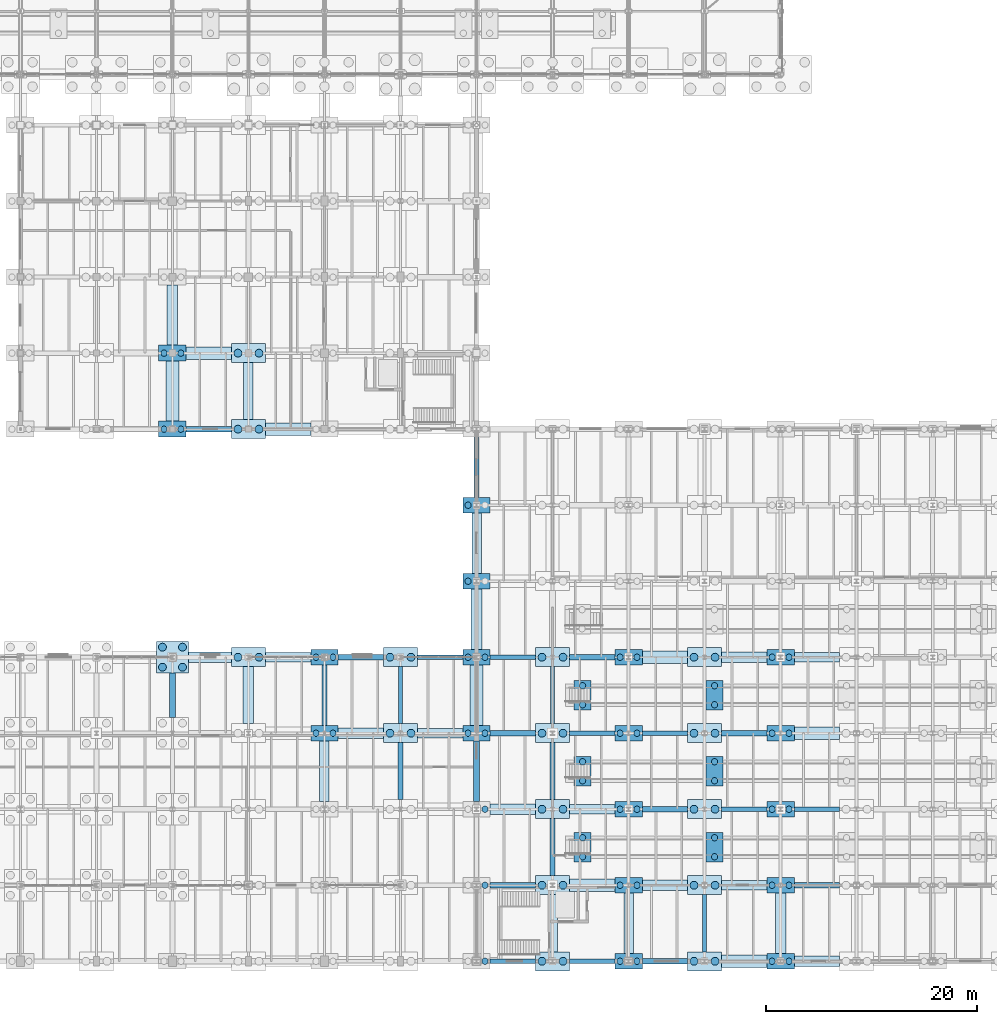
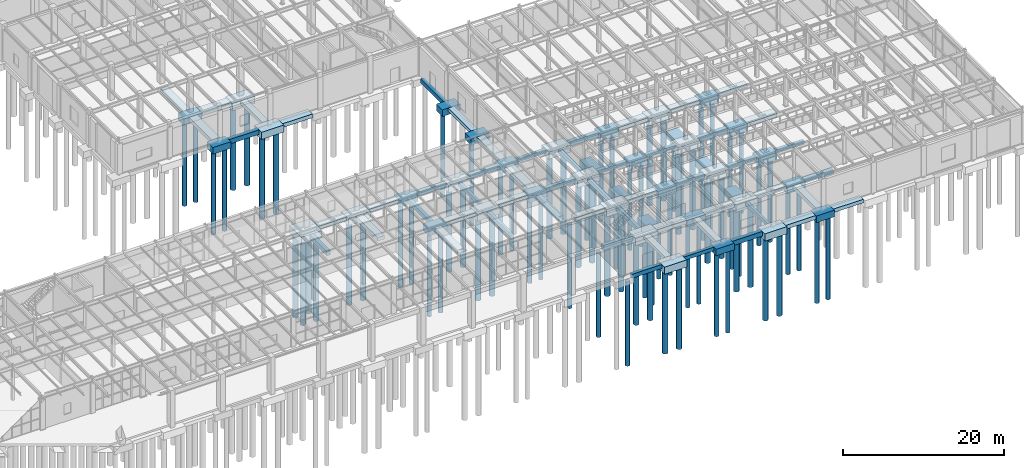
# One storey, part 10 of 293: 95 footings, 83 piles.
"""IFC4 building model written with IfcOpenShell, lengths in metres."""

from ifc_helpers import new_model, si_unit, direction, frame, origin, origin_2d, place, context, subcontext, project, spatial, rectangle, circle, extrude, material, material_profile, profile_set, type_object, element, save


model = new_model("IFC4")

# Units and contexts
model_context = context("Model", 3, precision=1e-05, world=origin(), true_north=direction((0.0, 1.0)))
body_context = subcontext(model_context, "Body", "Model", "MODEL_VIEW")
ifc_project = project(units=[si_unit("LENGTHUNIT", "METRE"), si_unit("AREAUNIT", "SQUARE_METRE"), si_unit("VOLUMEUNIT", "CUBIC_METRE"), si_unit("PLANEANGLEUNIT", "RADIAN"), si_unit("MASSUNIT", "GRAM", prefix="KILO")], contexts=[model_context])

# Site, building, storey
site_placement = place(None, origin())
site = spatial("IfcSite", under=ifc_project, at=site_placement, CompositionType="ELEMENT")
building_placement = place(site_placement, origin())
building = spatial("IfcBuilding", under=site, at=building_placement, Name="Kemerveld Promenade Tramway Depot", CompositionType="ELEMENT")
storey_placement = place(building_placement, origin())
storey = spatial("IfcBuildingStorey", under=building, at=storey_placement, Name="L00", CompositionType="ELEMENT", Elevation=0.0)

# Footings
ifc_material = material(Name="Concrete C35/45", Category="concrete")
footing_type_1 = type_object("IfcFootingType", Name="FT-GB01", PredefinedType="FOOTING_BEAM", material=ifc_material)
for number, where, z_axis, x_axis, name in (
    (1, (190.64990234375, 7.199951171875, -0.949951171875), (0.0, 0.0, 1.0), (1.0, 0.0, 0.0), "GBX-27-28-B"),
    (2, (176.25, 14.39990234375, -0.949951171875), (0.0, 0.0, 1.0), (1.0, 0.0, 0.0), "GBX-25-26-C"),
    (3, (161.85009765625, 21.60009765625, -0.949951171875), (0.0, 0.0, 1.0), (1.0, 0.0, 0.0), "GBX-23-24-D"),
    (4, (147.449951171875, 28.800048828125, -0.949951171875), (0.0, 0.0, 1.0), (1.0, 0.0, 0.0), "GBX-21-22-E"),
):
    element("IfcFooting", number, at=place(storey_placement, frame(where, z_axis=z_axis, x_axis=x_axis)), inside=storey, type_object=footing_type_1, Name=name, PredefinedType="FOOTING_BEAM", context=body_context, shape_type="SweptSolid", body=[
        extrude(rectangle(XDim=4.300048828125, YDim=0.5, at=origin_2d()), origin(), (0.0, 0.0, 1.0), 0.64990234375),
    ])
for number, where, z_axis, x_axis, name in (
    (5, (144.0, 25.199951171875, -0.949951171875), (0.0, 0.0, 1.0), (0.0, 1.0, 0.0), "GBY-21-D-E"),
    (6, (158.39990234375, 46.800048828125, -0.949951171875), (0.0, 0.0, 1.0), (0.0, 1.0, 0.0), "GBY-23-G-H"),
):
    element("IfcFooting", number, at=place(storey_placement, frame(where, z_axis=z_axis, x_axis=x_axis)), inside=storey, type_object=footing_type_1, Name=name, PredefinedType="FOOTING_BEAM", context=body_context, shape_type="SweptSolid", body=[
        extrude(rectangle(XDim=5.699951171875, YDim=0.5, at=origin_2d()), origin(), (0.0, 0.0, 1.0), 0.64990234375),
    ])
footing_1_placement = place(storey_placement, frame((165.60009765625, 10.800048828125, -0.949951171875), z_axis=(0.0, 0.0, 1.0), x_axis=(0.0, 1.0, 0.0)))
element("IfcFooting", 7, at=footing_1_placement, inside=storey, type_object=footing_type_1, Name="GBY-24-B-C", PredefinedType="FOOTING_BEAM", context=body_context, shape_type="SweptSolid", body=[
    extrude(rectangle(XDim=5.39990234375, YDim=0.5, at=origin_2d()), origin(), (0.0, 0.0, 1.0), 0.64990234375),
])
footing_type_2 = type_object("IfcFootingType", Name="FT-GB02", PredefinedType="FOOTING_BEAM", material=ifc_material)
for number, where, z_axis, x_axis, name in (
    (8, (161.85009765625, 0.0, -0.900146484375), (0.0, 0.0, 1.0), (1.0, 0.0, 0.0), "GBX-23-24-A"),
    (9, (183.75, 14.39990234375, -0.900146484375), (0.0, 0.0, 1.0), (1.0, 0.0, 0.0), "GBX-26-27-C"),
    (10, (169.35009765625, 21.60009765625, -0.900146484375), (0.0, 0.0, 1.0), (1.0, 0.0, 0.0), "GBX-24-25-D"),
    (11, (154.949951171875, 28.800048828125, -0.900146484375), (0.0, 0.0, 1.0), (1.0, 0.0, 0.0), "GBX-22-23-E"),
):
    element("IfcFooting", number, at=place(storey_placement, frame(where, z_axis=z_axis, x_axis=x_axis)), inside=storey, type_object=footing_type_2, Name=name, PredefinedType="FOOTING_BEAM", context=body_context, shape_type="SweptSolid", body=[
        extrude(rectangle(XDim=4.300048828125, YDim=0.449951171875, at=origin_2d()), origin(), (0.0, 0.0, 1.0), 0.60009765625),
    ])
for number, where, z_axis, x_axis, name in (
    (12, (151.199951171875, 18.0, -0.900146484375), (0.0, 0.0, 1.0), (0.0, 1.0, 0.0), "GBY-22-C-D"),
    (13, (165.60009765625, 18.0, -0.900146484375), (0.0, 0.0, 1.0), (0.0, 1.0, 0.0), "GBY-24-C-D"),
):
    element("IfcFooting", number, at=place(storey_placement, frame(where, z_axis=z_axis, x_axis=x_axis)), inside=storey, type_object=footing_type_2, Name=name, PredefinedType="FOOTING_BEAM", context=body_context, shape_type="SweptSolid", body=[
        extrude(rectangle(XDim=5.39990234375, YDim=0.449951171875, at=origin_2d()), origin(), (0.0, 0.0, 1.0), 0.60009765625),
    ])
footing_type_3 = type_object("IfcFootingType", Name="FT-GB03", PredefinedType="FOOTING_BEAM", material=ifc_material)
for number, where, z_axis, x_axis, name in (
    (14, (169.35009765625, 0.0, -0.85009765625), (0.0, 0.0, 1.0), (1.0, 0.0, 0.0), "GBX-24-25-A"),
    (15, (190.64990234375, 14.39990234375, -0.85009765625), (0.0, 0.0, 1.0), (1.0, 0.0, 0.0), "GBX-27-28-C"),
    (16, (176.25, 21.60009765625, -0.85009765625), (0.0, 0.0, 1.0), (1.0, 0.0, 0.0), "GBX-25-26-D"),
    (17, (161.85009765625, 28.800048828125, -0.85009765625), (0.0, 0.0, 1.0), (1.0, 0.0, 0.0), "GBX-23-24-E"),
):
    element("IfcFooting", number, at=place(storey_placement, frame(where, z_axis=z_axis, x_axis=x_axis)), inside=storey, type_object=footing_type_3, Name=name, PredefinedType="FOOTING_BEAM", context=body_context, shape_type="SweptSolid", body=[
        extrude(rectangle(XDim=4.300048828125, YDim=0.39990234375, at=origin_2d()), origin(), (0.0, 0.0, 1.0), 0.550048828125),
    ])
for number, where, z_axis, x_axis, name in (
    (18, (151.199951171875, 25.199951171875, -0.85009765625), (0.0, 0.0, 1.0), (0.0, 1.0, 0.0), "GBY-22-D-E"),
    (19, (165.60009765625, 25.199951171875, -0.85009765625), (0.0, 0.0, 1.0), (0.0, 1.0, 0.0), "GBY-24-D-E"),
    (20, (180.0, 3.60009765625, -0.85009765625), (0.0, 0.0, 1.0), (0.0, 1.0, 0.0), "GBY-26-A-B"),
):
    element("IfcFooting", number, at=place(storey_placement, frame(where, z_axis=z_axis, x_axis=x_axis)), inside=storey, type_object=footing_type_3, Name=name, PredefinedType="FOOTING_BEAM", context=body_context, shape_type="SweptSolid", body=[
        extrude(rectangle(XDim=5.39990234375, YDim=0.39990234375, at=origin_2d()), origin(), (0.0, 0.0, 1.0), 0.550048828125),
    ])
footing_type_4 = type_object("IfcFootingType", Name="FT-GB04", PredefinedType="FOOTING_BEAM", material=ifc_material)
for number, where, z_axis, x_axis, name in (
    (21, (176.25, 0.0, -1.0), (0.0, 0.0, 1.0), (1.0, 0.0, 0.0), "GBX-25-26-A"),
    (22, (161.85009765625, 7.199951171875, -1.0), (0.0, 0.0, 1.0), (1.0, 0.0, 0.0), "GBX-23-24-B"),
    (23, (183.75, 21.60009765625, -1.0), (0.0, 0.0, 1.0), (1.0, 0.0, 0.0), "GBX-26-27-D"),
    (24, (169.35009765625, 28.800048828125, -1.0), (0.0, 0.0, 1.0), (1.0, 0.0, 0.0), "GBX-24-25-E"),
    (25, (133.050048828125, 50.39990234375, -1.0), (0.0, 0.0, 1.0), (1.0, 0.0, 0.0), "GBX-19-20-H"),
):
    element("IfcFooting", number, at=place(storey_placement, frame(where, z_axis=z_axis, x_axis=x_axis)), inside=storey, type_object=footing_type_4, Name=name, PredefinedType="FOOTING_BEAM", context=body_context, shape_type="SweptSolid", body=[
        extrude(rectangle(XDim=4.300048828125, YDim=0.550048828125, at=origin_2d()), origin(), (0.0, 0.0, 1.0), 0.699951171875),
    ])
footing_2_placement = place(storey_placement, frame((129.60009765625, 25.199951171875, -1.0), z_axis=(0.0, 0.0, 1.0), x_axis=(0.0, 1.0, 0.0)))
element("IfcFooting", 26, at=footing_2_placement, inside=storey, type_object=footing_type_4, Name="GBY-19-D-E", PredefinedType="FOOTING_BEAM", context=body_context, shape_type="SweptSolid", body=[
    extrude(rectangle(XDim=4.199951171875, YDim=0.550048828125, at=origin_2d()), origin(), (0.0, 0.0, 1.0), 0.699951171875),
])
footing_3_placement = place(storey_placement, frame((158.39990234375, 18.0, -1.0), z_axis=(0.0, 0.0, 1.0), x_axis=(0.0, 1.0, 0.0)))
element("IfcFooting", 27, at=footing_3_placement, inside=storey, type_object=footing_type_4, Name="GBY-23-C-D", PredefinedType="FOOTING_BEAM", context=body_context, shape_type="SweptSolid", body=[
    extrude(rectangle(XDim=5.699951171875, YDim=0.550048828125, at=origin_2d()), origin(), (0.0, 0.0, 1.0), 0.699951171875),
])
footing_type_5 = type_object("IfcFootingType", Name="FT-PC05", PredefinedType="PILE_CAP", material=ifc_material)
footing_4_placement = place(storey_placement, frame((129.60009765625, 28.800048828125, -1.400146484375), z_axis=(0.0, 0.0, 1.0), x_axis=(1.0, 0.0, 0.0)))
element("IfcFooting", 28, at=footing_4_placement, inside=storey, type_object=footing_type_5, Name="FT-19-E", PredefinedType="PILE_CAP", context=body_context, shape_type="SweptSolid", body=[
    extrude(rectangle(XDim=3.0, YDim=3.0, at=origin_2d()), origin(), (0.0, 0.0, 1.0), 1.10009765625),
])
footing_type_6 = type_object("IfcFootingType", Name="FT-PC06", PredefinedType="PILE_CAP", material=ifc_material)
for number, where, z_axis, x_axis, name in (
    (29, (136.800048828125, 28.800048828125, -1.400146484375), (0.0, 0.0, 1.0), (1.0, 0.0, 0.0), "FT-20-E"),
    (30, (136.800048828125, 50.39990234375, -1.400146484375), (0.0, 0.0, 1.0), (1.0, 0.0, 0.0), "FT-20-H"),
    (31, (136.800048828125, 57.60009765625, -1.400146484375), (0.0, 0.0, 1.0), (1.0, 0.0, 0.0), "FT-20-J"),
    (32, (151.199951171875, 21.60009765625, -1.400146484375), (0.0, 0.0, 1.0), (1.0, 0.0, 0.0), "FT-22-D"),
    (33, (151.199951171875, 28.800048828125, -1.400146484375), (0.0, 0.0, 1.0), (1.0, 0.0, 0.0), "FT-22-E"),
    (34, (165.60009765625, 0.0, -1.400146484375), (0.0, 0.0, 1.0), (1.0, 0.0, 0.0), "FT-24-A"),
    (35, (165.60009765625, 7.199951171875, -1.400146484375), (0.0, 0.0, 1.0), (1.0, 0.0, 0.0), "FT-24-B"),
    (36, (165.60009765625, 14.39990234375, -1.400146484375), (0.0, 0.0, 1.0), (1.0, 0.0, 0.0), "FT-24-C"),
    (37, (165.60009765625, 21.60009765625, -1.400146484375), (0.0, 0.0, 1.0), (1.0, 0.0, 0.0), "FT-24-D"),
    (38, (165.60009765625, 28.800048828125, -1.400146484375), (0.0, 0.0, 1.0), (1.0, 0.0, 0.0), "FT-24-E"),
    (39, (180.0, 0.0, -1.400146484375), (0.0, 0.0, 1.0), (1.0, 0.0, 0.0), "FT-26-A"),
    (40, (180.0, 7.199951171875, -1.400146484375), (0.0, 0.0, 1.0), (1.0, 0.0, 0.0), "FT-26-B"),
    (41, (180.0, 14.39990234375, -1.400146484375), (0.0, 0.0, 1.0), (1.0, 0.0, 0.0), "FT-26-C"),
    (42, (180.0, 21.60009765625, -1.400146484375), (0.0, 0.0, 1.0), (1.0, 0.0, 0.0), "FT-26-D"),
    (43, (180.0, 28.800048828125, -1.400146484375), (0.0, 0.0, 1.0), (1.0, 0.0, 0.0), "FT-26-E"),
):
    element("IfcFooting", number, at=place(storey_placement, frame(where, z_axis=z_axis, x_axis=x_axis)), inside=storey, type_object=footing_type_6, Name=name, PredefinedType="PILE_CAP", context=body_context, shape_type="SweptSolid", body=[
        extrude(rectangle(XDim=3.199951171875, YDim=1.800048828125, at=origin_2d()), origin(), (0.0, 0.0, 1.0), 1.10009765625),
    ])
footing_type_7 = type_object("IfcFootingType", Name="FT-PC07", PredefinedType="PILE_CAP", material=ifc_material)
for number, where, z_axis, x_axis, name in (
    (44, (168.449951171875, 10.800048828125, -3.0), (0.0, 0.0, 1.0), (1.0, 0.0, 0.0), "FT-PIT-08-01"),
    (45, (180.949951171875, 10.800048828125, -3.0), (0.0, 0.0, 1.0), (1.0, 0.0, 0.0), "FT-PIT-08-02"),
    (46, (168.449951171875, 18.0, -3.0), (0.0, 0.0, 1.0), (1.0, 0.0, 0.0), "FT-PIT-09-01"),
    (47, (180.949951171875, 18.0, -3.0), (0.0, 0.0, 1.0), (1.0, 0.0, 0.0), "FT-PIT-09-02"),
    (48, (168.449951171875, 25.199951171875, -3.0), (0.0, 0.0, 1.0), (1.0, 0.0, 0.0), "FT-PIT-10-01"),
    (49, (180.949951171875, 25.199951171875, -3.0), (0.0, 0.0, 1.0), (1.0, 0.0, 0.0), "FT-PIT-10-02"),
):
    element("IfcFooting", number, at=place(storey_placement, frame(where, z_axis=z_axis, x_axis=x_axis)), inside=storey, type_object=footing_type_7, Name=name, PredefinedType="PILE_CAP", context=body_context, shape_type="SweptSolid", body=[
        extrude(rectangle(XDim=1.60009765625, YDim=2.800048828125, at=origin_2d()), origin(), (0.0, 0.0, 1.0), 1.050048828125),
    ])
footing_type_8 = type_object("IfcFootingType", Name="FT-PC08", PredefinedType="PILE_CAP", material=ifc_material)
for number, where, z_axis, x_axis, name in (
    (50, (129.60009765625, 50.39990234375, -1.300048828125), (0.0, 0.0, 1.0), (1.0, 0.0, 0.0), "FT-19-H"),
    (51, (129.60009765625, 57.60009765625, -1.300048828125), (0.0, 0.0, 1.0), (1.0, 0.0, 0.0), "FT-19-J"),
    (52, (144.0, 21.60009765625, -1.300048828125), (0.0, 0.0, 1.0), (1.0, 0.0, 0.0), "FT-21-D"),
    (53, (144.0, 28.800048828125, -1.300048828125), (0.0, 0.0, 1.0), (1.0, 0.0, 0.0), "FT-21-E"),
    (54, (158.39990234375, 21.60009765625, -1.300048828125), (0.0, 0.0, 1.0), (1.0, 0.0, 0.0), "FT-23-D"),
    (55, (158.39990234375, 28.800048828125, -1.300048828125), (0.0, 0.0, 1.0), (1.0, 0.0, 0.0), "FT-23-E"),
    (56, (158.39990234375, 36.0, -1.300048828125), (0.0, 0.0, 1.0), (1.0, 0.0, 0.0), "FT-23-F"),
    (57, (158.39990234375, 43.199951171875, -1.300048828125), (0.0, 0.0, 1.0), (1.0, 0.0, 0.0), "FT-23-G"),
    (58, (172.800048828125, 0.0, -1.300048828125), (0.0, 0.0, 1.0), (1.0, 0.0, 0.0), "FT-25-A"),
    (59, (172.800048828125, 7.199951171875, -1.300048828125), (0.0, 0.0, 1.0), (1.0, 0.0, 0.0), "FT-25-B"),
    (60, (172.800048828125, 14.39990234375, -1.300048828125), (0.0, 0.0, 1.0), (1.0, 0.0, 0.0), "FT-25-C"),
    (61, (172.800048828125, 21.60009765625, -1.300048828125), (0.0, 0.0, 1.0), (1.0, 0.0, 0.0), "FT-25-D"),
    (62, (172.800048828125, 28.800048828125, -1.300048828125), (0.0, 0.0, 1.0), (1.0, 0.0, 0.0), "FT-25-E"),
    (63, (187.199951171875, 0.0, -1.300048828125), (0.0, 0.0, 1.0), (1.0, 0.0, 0.0), "FT-27-A"),
    (64, (187.199951171875, 7.199951171875, -1.300048828125), (0.0, 0.0, 1.0), (1.0, 0.0, 0.0), "FT-27-B"),
    (65, (187.199951171875, 14.39990234375, -1.300048828125), (0.0, 0.0, 1.0), (1.0, 0.0, 0.0), "FT-27-C"),
    (66, (187.199951171875, 21.60009765625, -1.300048828125), (0.0, 0.0, 1.0), (1.0, 0.0, 0.0), "FT-27-D"),
    (67, (187.199951171875, 28.800048828125, -1.300048828125), (0.0, 0.0, 1.0), (1.0, 0.0, 0.0), "FT-27-E"),
):
    element("IfcFooting", number, at=place(storey_placement, frame(where, z_axis=z_axis, x_axis=x_axis)), inside=storey, type_object=footing_type_8, Name=name, PredefinedType="PILE_CAP", context=body_context, shape_type="SweptSolid", body=[
        extrude(rectangle(XDim=2.60009765625, YDim=1.5, at=origin_2d()), origin(), (0.0, 0.0, 1.0), 1.0),
    ])
footing_type_9 = type_object("IfcFootingType", Name="FT-SF01", PredefinedType="STRIP_FOOTING", material=ifc_material)
for number, where, z_axis, x_axis, name in (
    (68, (183.75, 0.0, -0.900146484375), (0.0, 0.0, 1.0), (1.0, 0.0, 0.0), "GBX-26-27-A"),
    (69, (169.35009765625, 7.199951171875, -0.900146484375), (0.0, 0.0, 1.0), (1.0, 0.0, 0.0), "GBX-24-25-B"),
    (70, (190.64990234375, 21.60009765625, -0.900146484375), (0.0, 0.0, 1.0), (1.0, 0.0, 0.0), "GBX-27-28-D"),
    (71, (176.25, 28.800048828125, -0.900146484375), (0.0, 0.0, 1.0), (1.0, 0.0, 0.0), "GBX-25-26-E"),
    (72, (140.550048828125, 50.39990234375, -0.900146484375), (0.0, 0.0, 1.0), (1.0, 0.0, 0.0), "GBX-20-21-H"),
    (73, (133.050048828125, 57.60009765625, -0.900146484375), (0.0, 0.0, 1.0), (1.0, 0.0, 0.0), "GBX-19-20-J"),
):
    element("IfcFooting", number, at=place(storey_placement, frame(where, z_axis=z_axis, x_axis=x_axis)), inside=storey, type_object=footing_type_9, Name=name, PredefinedType="STRIP_FOOTING", context=body_context, shape_type="SweptSolid", body=[
        extrude(rectangle(XDim=4.300048828125, YDim=1.199951171875, at=origin_2d()), origin(), (0.0, 0.0, 1.0), 0.60009765625),
    ])
for number, where, z_axis, x_axis, name in (
    (74, (129.60009765625, 54.0, -0.900146484375), (0.0, 0.0, 1.0), (0.0, 1.0, 0.0), "GBY-19-H-J"),
    (75, (158.39990234375, 25.199951171875, -0.900146484375), (0.0, 0.0, 1.0), (0.0, 1.0, 0.0), "GBY-23-D-E"),
):
    element("IfcFooting", number, at=place(storey_placement, frame(where, z_axis=z_axis, x_axis=x_axis)), inside=storey, type_object=footing_type_9, Name=name, PredefinedType="STRIP_FOOTING", context=body_context, shape_type="SweptSolid", body=[
        extrude(rectangle(XDim=5.699951171875, YDim=1.199951171875, at=origin_2d()), origin(), (0.0, 0.0, 1.0), 0.60009765625),
    ])
footing_type_10 = type_object("IfcFootingType", Name="FT-SF02", PredefinedType="STRIP_FOOTING", material=ifc_material)
for number, where, z_axis, x_axis, name in (
    (76, (190.64990234375, 0.0, -0.85009765625), (0.0, 0.0, 1.0), (1.0, 0.0, 0.0), "GBX-27-28-A"),
    (77, (176.25, 7.199951171875, -0.85009765625), (0.0, 0.0, 1.0), (1.0, 0.0, 0.0), "GBX-25-26-B"),
    (78, (161.85009765625, 14.39990234375, -0.85009765625), (0.0, 0.0, 1.0), (1.0, 0.0, 0.0), "GBX-23-24-C"),
    (79, (147.449951171875, 21.60009765625, -0.85009765625), (0.0, 0.0, 1.0), (1.0, 0.0, 0.0), "GBX-21-22-D"),
):
    element("IfcFooting", number, at=place(storey_placement, frame(where, z_axis=z_axis, x_axis=x_axis)), inside=storey, type_object=footing_type_10, Name=name, PredefinedType="STRIP_FOOTING", context=body_context, shape_type="SweptSolid", body=[
        extrude(rectangle(XDim=4.300048828125, YDim=1.0, at=origin_2d()), origin(), (0.0, 0.0, 1.0), 0.550048828125),
    ])
footing_5_placement = place(storey_placement, frame((133.14990234375, 28.800048828125, -0.85009765625), z_axis=(0.0, 0.0, 1.0), x_axis=(1.0, 0.0, 0.0)))
element("IfcFooting", 80, at=footing_5_placement, inside=storey, type_object=footing_type_10, Name="GBX-19-20-E", PredefinedType="STRIP_FOOTING", context=body_context, shape_type="SweptSolid", body=[
    extrude(rectangle(XDim=4.10009765625, YDim=1.0, at=origin_2d()), origin(), (0.0, 0.0, 1.0), 0.550048828125),
])
footing_6_placement = place(storey_placement, frame((183.75, 28.800048828125, -0.85009765625), z_axis=(0.0, 0.0, 1.0), x_axis=(1.0, 0.0, 0.0)))
element("IfcFooting", 81, at=footing_6_placement, inside=storey, type_object=footing_type_10, Name="GBX-26-27-E", PredefinedType="STRIP_FOOTING", context=body_context, shape_type="SweptSolid", body=[
    extrude(rectangle(XDim=4.300048828125, YDim=1.0, at=origin_2d()), origin(), (0.0, 0.0, 1.0), 0.550048828125),
])
footing_7_placement = place(storey_placement, frame((129.60009765625, 61.199951171875, -0.85009765625), z_axis=(0.0, 0.0, 1.0), x_axis=(0.0, 1.0, 0.0)))
element("IfcFooting", 82, at=footing_7_placement, inside=storey, type_object=footing_type_10, Name="GBY-19-J-K", PredefinedType="STRIP_FOOTING", context=body_context, shape_type="SweptSolid", body=[
    extrude(rectangle(XDim=5.699951171875, YDim=1.0, at=origin_2d()), origin(), (0.0, 0.0, 1.0), 0.550048828125),
])
footing_8_placement = place(storey_placement, frame((136.800048828125, 25.199951171875, -0.85009765625), z_axis=(0.0, 0.0, 1.0), x_axis=(0.0, 1.0, 0.0)))
element("IfcFooting", 83, at=footing_8_placement, inside=storey, type_object=footing_type_10, Name="GBY-20-D-E", PredefinedType="STRIP_FOOTING", context=body_context, shape_type="SweptSolid", body=[
    extrude(rectangle(XDim=5.39990234375, YDim=1.0, at=origin_2d()), origin(), (0.0, 0.0, 1.0), 0.550048828125),
])
for number, where, z_axis, x_axis, name in (
    (84, (158.39990234375, 32.39990234375, -0.85009765625), (0.0, 0.0, 1.0), (0.0, 1.0, 0.0), "GBY-23-E-F"),
    (85, (187.199951171875, 3.60009765625, -0.85009765625), (0.0, 0.0, 1.0), (0.0, 1.0, 0.0), "GBY-27-A-B"),
):
    element("IfcFooting", number, at=place(storey_placement, frame(where, z_axis=z_axis, x_axis=x_axis)), inside=storey, type_object=footing_type_10, Name=name, PredefinedType="STRIP_FOOTING", context=body_context, shape_type="SweptSolid", body=[
        extrude(rectangle(XDim=5.699951171875, YDim=1.0, at=origin_2d()), origin(), (0.0, 0.0, 1.0), 0.550048828125),
    ])
footing_type_11 = type_object("IfcFootingType", Name="FT-SF03", PredefinedType="STRIP_FOOTING", material=ifc_material)
for number, where, z_axis, x_axis, name in (
    (86, (183.75, 7.199951171875, -0.800048828125), (0.0, 0.0, 1.0), (1.0, 0.0, 0.0), "GBX-26-27-B"),
    (87, (169.35009765625, 14.39990234375, -0.800048828125), (0.0, 0.0, 1.0), (1.0, 0.0, 0.0), "GBX-24-25-C"),
    (88, (154.949951171875, 21.60009765625, -0.800048828125), (0.0, 0.0, 1.0), (1.0, 0.0, 0.0), "GBX-22-23-D"),
    (89, (140.550048828125, 28.800048828125, -0.800048828125), (0.0, 0.0, 1.0), (1.0, 0.0, 0.0), "GBX-20-21-E"),
    (90, (190.64990234375, 28.800048828125, -0.800048828125), (0.0, 0.0, 1.0), (1.0, 0.0, 0.0), "GBX-27-28-E"),
):
    element("IfcFooting", number, at=place(storey_placement, frame(where, z_axis=z_axis, x_axis=x_axis)), inside=storey, type_object=footing_type_11, Name=name, PredefinedType="STRIP_FOOTING", context=body_context, shape_type="SweptSolid", body=[
        extrude(rectangle(XDim=4.300048828125, YDim=0.89990234375, at=origin_2d()), origin(), (0.0, 0.0, 1.0), 0.5),
    ])
footing_9_placement = place(storey_placement, frame((136.800048828125, 54.0, -0.800048828125), z_axis=(0.0, 0.0, 1.0), x_axis=(0.0, 1.0, 0.0)))
element("IfcFooting", 91, at=footing_9_placement, inside=storey, type_object=footing_type_11, Name="GBY-20-H-J", PredefinedType="STRIP_FOOTING", context=body_context, shape_type="SweptSolid", body=[
    extrude(rectangle(XDim=5.39990234375, YDim=0.89990234375, at=origin_2d()), origin(), (0.0, 0.0, 1.0), 0.5),
])
for number, where, z_axis, x_axis, name in (
    (92, (144.0, 18.0, -0.800048828125), (0.0, 0.0, 1.0), (0.0, 1.0, 0.0), "GBY-21-C-D"),
    (93, (158.39990234375, 39.60009765625, -0.800048828125), (0.0, 0.0, 1.0), (0.0, 1.0, 0.0), "GBY-23-F-G"),
):
    element("IfcFooting", number, at=place(storey_placement, frame(where, z_axis=z_axis, x_axis=x_axis)), inside=storey, type_object=footing_type_11, Name=name, PredefinedType="STRIP_FOOTING", context=body_context, shape_type="SweptSolid", body=[
        extrude(rectangle(XDim=5.699951171875, YDim=0.89990234375, at=origin_2d()), origin(), (0.0, 0.0, 1.0), 0.5),
    ])
footing_10_placement = place(storey_placement, frame((165.60009765625, 3.60009765625, -0.800048828125), z_axis=(0.0, 0.0, 1.0), x_axis=(0.0, 1.0, 0.0)))
element("IfcFooting", 94, at=footing_10_placement, inside=storey, type_object=footing_type_11, Name="GBY-24-A-B", PredefinedType="STRIP_FOOTING", context=body_context, shape_type="SweptSolid", body=[
    extrude(rectangle(XDim=5.39990234375, YDim=0.89990234375, at=origin_2d()), origin(), (0.0, 0.0, 1.0), 0.5),
])
footing_11_placement = place(storey_placement, frame((172.800048828125, 3.60009765625, -0.800048828125), z_axis=(0.0, 0.0, 1.0), x_axis=(0.0, 1.0, 0.0)))
element("IfcFooting", 95, at=footing_11_placement, inside=storey, type_object=footing_type_11, Name="GBY-25-A-B", PredefinedType="STRIP_FOOTING", context=body_context, shape_type="SweptSolid", body=[
    extrude(rectangle(XDim=5.699951171875, YDim=0.89990234375, at=origin_2d()), origin(), (0.0, 0.0, 1.0), 0.5),
])

# Piles
ifc_material_profile_1 = material_profile(ifc_material, circle(Radius=0.300048828125, at=origin_2d()), Name="PILE-D600")
ifc_profile_set_1 = profile_set([ifc_material_profile_1], Name="Concrete C35/45")
pile_type_1 = type_object("IfcPileType", Name="PL-BOR-600", PredefinedType="BORED", material=ifc_profile_set_1)
for number, where, z_axis, x_axis, name in (
    (96, (168.449951171875, 9.89990234375, -2.89990234375), (0.0, 0.0, -1.0), (1.0, 0.0, 0.0), "PIL-PIT-08-01-1"),
    (97, (168.449951171875, 11.699951171875, -2.89990234375), (0.0, 0.0, -1.0), (1.0, 0.0, 0.0), "PIL-PIT-08-01-2"),
    (98, (180.949951171875, 9.89990234375, -2.89990234375), (0.0, 0.0, -1.0), (1.0, 0.0, 0.0), "PIL-PIT-08-02-1"),
    (99, (180.949951171875, 11.699951171875, -2.89990234375), (0.0, 0.0, -1.0), (1.0, 0.0, 0.0), "PIL-PIT-08-02-2"),
    (100, (168.449951171875, 17.10009765625, -2.89990234375), (0.0, 0.0, -1.0), (1.0, 0.0, 0.0), "PIL-PIT-09-01-1"),
    (101, (168.449951171875, 18.89990234375, -2.89990234375), (0.0, 0.0, -1.0), (1.0, 0.0, 0.0), "PIL-PIT-09-01-2"),
    (102, (180.949951171875, 17.10009765625, -2.89990234375), (0.0, 0.0, -1.0), (1.0, 0.0, 0.0), "PIL-PIT-09-02-1"),
    (103, (180.949951171875, 18.89990234375, -2.89990234375), (0.0, 0.0, -1.0), (1.0, 0.0, 0.0), "PIL-PIT-09-02-2"),
    (104, (168.449951171875, 24.300048828125, -2.89990234375), (0.0, 0.0, -1.0), (1.0, 0.0, 0.0), "PIL-PIT-10-01-1"),
    (105, (168.449951171875, 26.10009765625, -2.89990234375), (0.0, 0.0, -1.0), (1.0, 0.0, 0.0), "PIL-PIT-10-01-2"),
    (106, (180.949951171875, 24.300048828125, -2.89990234375), (0.0, 0.0, -1.0), (1.0, 0.0, 0.0), "PIL-PIT-10-02-1"),
    (107, (180.949951171875, 26.10009765625, -2.89990234375), (0.0, 0.0, -1.0), (1.0, 0.0, 0.0), "PIL-PIT-10-02-2"),
):
    element("IfcPile", number, at=place(storey_placement, frame(where, z_axis=z_axis, x_axis=x_axis)), inside=storey, type_object=pile_type_1, Name=name, PredefinedType="BORED", context=body_context, shape_type="SweptSolid", body=[
        extrude(circle(Radius=0.300048828125, at=origin_2d()), origin(), (0.0, 0.0, 1.0), 11.10009765625),
    ])
for number, where, z_axis, x_axis, name in (
    (108, (128.800048828125, 50.39990234375, -1.199951171875), (0.0, 0.0, -1.0), (1.0, 0.0, 0.0), "PIL-19-H-1"),
    (109, (130.39990234375, 50.39990234375, -1.199951171875), (0.0, 0.0, -1.0), (1.0, 0.0, 0.0), "PIL-19-H-2"),
    (110, (128.800048828125, 57.60009765625, -1.199951171875), (0.0, 0.0, -1.0), (1.0, 0.0, 0.0), "PIL-19-J-1"),
    (111, (130.39990234375, 57.60009765625, -1.199951171875), (0.0, 0.0, -1.0), (1.0, 0.0, 0.0), "PIL-19-J-2"),
    (112, (143.199951171875, 21.60009765625, -1.199951171875), (0.0, 0.0, -1.0), (1.0, 0.0, 0.0), "PIL-21-D-1"),
    (113, (144.800048828125, 21.60009765625, -1.199951171875), (0.0, 0.0, -1.0), (1.0, 0.0, 0.0), "PIL-21-D-2"),
    (114, (143.199951171875, 28.800048828125, -1.199951171875), (0.0, 0.0, -1.0), (1.0, 0.0, 0.0), "PIL-21-E-1"),
    (115, (144.800048828125, 28.800048828125, -1.199951171875), (0.0, 0.0, -1.0), (1.0, 0.0, 0.0), "PIL-21-E-2"),
    (116, (159.199951171875, 0.0, -1.199951171875), (0.0, 0.0, -1.0), (1.0, 0.0, 0.0), "PIL-23-A-2"),
    (117, (159.199951171875, 7.199951171875, -1.199951171875), (0.0, 0.0, -1.0), (1.0, 0.0, 0.0), "PIL-23-B-2"),
    (118, (159.199951171875, 14.39990234375, -1.199951171875), (0.0, 0.0, -1.0), (1.0, 0.0, 0.0), "PIL-23-C-2"),
    (119, (157.60009765625, 21.60009765625, -1.199951171875), (0.0, 0.0, -1.0), (1.0, 0.0, 0.0), "PIL-23-D-1"),
    (120, (159.199951171875, 21.60009765625, -1.199951171875), (0.0, 0.0, -1.0), (1.0, 0.0, 0.0), "PIL-23-D-2"),
    (121, (157.60009765625, 28.800048828125, -1.199951171875), (0.0, 0.0, -1.0), (1.0, 0.0, 0.0), "PIL-23-E-1"),
    (122, (159.199951171875, 28.800048828125, -1.199951171875), (0.0, 0.0, -1.0), (1.0, 0.0, 0.0), "PIL-23-E-2"),
    (123, (157.60009765625, 36.0, -1.199951171875), (0.0, 0.0, -1.0), (1.0, 0.0, 0.0), "PIL-23-F-1"),
    (124, (157.60009765625, 43.199951171875, -1.199951171875), (0.0, 0.0, -1.0), (1.0, 0.0, 0.0), "PIL-23-G-1"),
    (125, (172.0, 0.0, -1.199951171875), (0.0, 0.0, -1.0), (1.0, 0.0, 0.0), "PIL-25-A-1"),
    (126, (173.60009765625, 0.0, -1.199951171875), (0.0, 0.0, -1.0), (1.0, 0.0, 0.0), "PIL-25-A-2"),
    (127, (172.0, 7.199951171875, -1.199951171875), (0.0, 0.0, -1.0), (1.0, 0.0, 0.0), "PIL-25-B-1"),
    (128, (173.60009765625, 7.199951171875, -1.199951171875), (0.0, 0.0, -1.0), (1.0, 0.0, 0.0), "PIL-25-B-2"),
    (129, (172.0, 14.39990234375, -1.199951171875), (0.0, 0.0, -1.0), (1.0, 0.0, 0.0), "PIL-25-C-1"),
    (130, (173.60009765625, 14.39990234375, -1.199951171875), (0.0, 0.0, -1.0), (1.0, 0.0, 0.0), "PIL-25-C-2"),
    (131, (172.0, 21.60009765625, -1.199951171875), (0.0, 0.0, -1.0), (1.0, 0.0, 0.0), "PIL-25-D-1"),
    (132, (173.60009765625, 21.60009765625, -1.199951171875), (0.0, 0.0, -1.0), (1.0, 0.0, 0.0), "PIL-25-D-2"),
    (133, (172.0, 28.800048828125, -1.199951171875), (0.0, 0.0, -1.0), (1.0, 0.0, 0.0), "PIL-25-E-1"),
    (134, (173.60009765625, 28.800048828125, -1.199951171875), (0.0, 0.0, -1.0), (1.0, 0.0, 0.0), "PIL-25-E-2"),
    (135, (186.39990234375, 0.0, -1.199951171875), (0.0, 0.0, -1.0), (1.0, 0.0, 0.0), "PIL-27-A-1"),
    (136, (188.0, 0.0, -1.199951171875), (0.0, 0.0, -1.0), (1.0, 0.0, 0.0), "PIL-27-A-2"),
    (137, (186.39990234375, 7.199951171875, -1.199951171875), (0.0, 0.0, -1.0), (1.0, 0.0, 0.0), "PIL-27-B-1"),
    (138, (188.0, 7.199951171875, -1.199951171875), (0.0, 0.0, -1.0), (1.0, 0.0, 0.0), "PIL-27-B-2"),
    (139, (186.39990234375, 14.39990234375, -1.199951171875), (0.0, 0.0, -1.0), (1.0, 0.0, 0.0), "PIL-27-C-1"),
    (140, (188.0, 14.39990234375, -1.199951171875), (0.0, 0.0, -1.0), (1.0, 0.0, 0.0), "PIL-27-C-2"),
    (141, (186.39990234375, 21.60009765625, -1.199951171875), (0.0, 0.0, -1.0), (1.0, 0.0, 0.0), "PIL-27-D-1"),
    (142, (188.0, 21.60009765625, -1.199951171875), (0.0, 0.0, -1.0), (1.0, 0.0, 0.0), "PIL-27-D-2"),
    (143, (186.39990234375, 28.800048828125, -1.199951171875), (0.0, 0.0, -1.0), (1.0, 0.0, 0.0), "PIL-27-E-1"),
    (144, (188.0, 28.800048828125, -1.199951171875), (0.0, 0.0, -1.0), (1.0, 0.0, 0.0), "PIL-27-E-2"),
):
    element("IfcPile", number, at=place(storey_placement, frame(where, z_axis=z_axis, x_axis=x_axis)), inside=storey, type_object=pile_type_1, Name=name, PredefinedType="BORED", context=body_context, shape_type="SweptSolid", body=[
        extrude(circle(Radius=0.300048828125, at=origin_2d()), origin(), (0.0, 0.0, 1.0), 12.800048828125),
    ])
ifc_material_profile_2 = material_profile(ifc_material, circle(Radius=0.375, at=origin_2d()), Name="PILE-D750")
ifc_profile_set_2 = profile_set([ifc_material_profile_2], Name="Concrete C35/45")
pile_type_2 = type_object("IfcPileType", Name="PL-BOR-750", PredefinedType="BORED", material=ifc_profile_set_2)
for number, where, z_axis, x_axis, name in (
    (145, (128.64990234375, 27.85009765625, -1.300048828125), (0.0, 0.0, -1.0), (1.0, 0.0, 0.0), "PIL-19-E-1"),
    (146, (130.550048828125, 27.85009765625, -1.300048828125), (0.0, 0.0, -1.0), (1.0, 0.0, 0.0), "PIL-19-E-2"),
    (147, (128.64990234375, 29.75, -1.300048828125), (0.0, 0.0, -1.0), (1.0, 0.0, 0.0), "PIL-19-E-3"),
    (148, (130.550048828125, 29.75, -1.300048828125), (0.0, 0.0, -1.0), (1.0, 0.0, 0.0), "PIL-19-E-4"),
    (149, (135.800048828125, 28.800048828125, -1.300048828125), (0.0, 0.0, -1.0), (1.0, 0.0, 0.0), "PIL-20-E-1"),
    (150, (137.800048828125, 28.800048828125, -1.300048828125), (0.0, 0.0, -1.0), (1.0, 0.0, 0.0), "PIL-20-E-2"),
    (151, (135.800048828125, 50.39990234375, -1.300048828125), (0.0, 0.0, -1.0), (1.0, 0.0, 0.0), "PIL-20-H-1"),
    (152, (137.800048828125, 50.39990234375, -1.300048828125), (0.0, 0.0, -1.0), (1.0, 0.0, 0.0), "PIL-20-H-2"),
    (153, (135.800048828125, 57.60009765625, -1.300048828125), (0.0, 0.0, -1.0), (1.0, 0.0, 0.0), "PIL-20-J-1"),
    (154, (137.800048828125, 57.60009765625, -1.300048828125), (0.0, 0.0, -1.0), (1.0, 0.0, 0.0), "PIL-20-J-2"),
    (155, (150.199951171875, 21.60009765625, -1.300048828125), (0.0, 0.0, -1.0), (1.0, 0.0, 0.0), "PIL-22-D-1"),
    (156, (152.199951171875, 21.60009765625, -1.300048828125), (0.0, 0.0, -1.0), (1.0, 0.0, 0.0), "PIL-22-D-2"),
    (157, (150.199951171875, 28.800048828125, -1.300048828125), (0.0, 0.0, -1.0), (1.0, 0.0, 0.0), "PIL-22-E-1"),
    (158, (152.199951171875, 28.800048828125, -1.300048828125), (0.0, 0.0, -1.0), (1.0, 0.0, 0.0), "PIL-22-E-2"),
    (159, (164.60009765625, 0.0, -1.300048828125), (0.0, 0.0, -1.0), (1.0, 0.0, 0.0), "PIL-24-A-1"),
    (160, (166.60009765625, 0.0, -1.300048828125), (0.0, 0.0, -1.0), (1.0, 0.0, 0.0), "PIL-24-A-2"),
    (161, (164.60009765625, 7.199951171875, -1.300048828125), (0.0, 0.0, -1.0), (1.0, 0.0, 0.0), "PIL-24-B-1"),
    (162, (166.60009765625, 7.199951171875, -1.300048828125), (0.0, 0.0, -1.0), (1.0, 0.0, 0.0), "PIL-24-B-2"),
    (163, (164.60009765625, 14.39990234375, -1.300048828125), (0.0, 0.0, -1.0), (1.0, 0.0, 0.0), "PIL-24-C-1"),
    (164, (166.60009765625, 14.39990234375, -1.300048828125), (0.0, 0.0, -1.0), (1.0, 0.0, 0.0), "PIL-24-C-2"),
    (165, (164.60009765625, 21.60009765625, -1.300048828125), (0.0, 0.0, -1.0), (1.0, 0.0, 0.0), "PIL-24-D-1"),
    (166, (166.60009765625, 21.60009765625, -1.300048828125), (0.0, 0.0, -1.0), (1.0, 0.0, 0.0), "PIL-24-D-2"),
    (167, (164.60009765625, 28.800048828125, -1.300048828125), (0.0, 0.0, -1.0), (1.0, 0.0, 0.0), "PIL-24-E-1"),
    (168, (166.60009765625, 28.800048828125, -1.300048828125), (0.0, 0.0, -1.0), (1.0, 0.0, 0.0), "PIL-24-E-2"),
    (169, (179.0, 0.0, -1.300048828125), (0.0, 0.0, -1.0), (1.0, 0.0, 0.0), "PIL-26-A-1"),
    (170, (181.0, 0.0, -1.300048828125), (0.0, 0.0, -1.0), (1.0, 0.0, 0.0), "PIL-26-A-2"),
    (171, (179.0, 7.199951171875, -1.300048828125), (0.0, 0.0, -1.0), (1.0, 0.0, 0.0), "PIL-26-B-1"),
    (172, (181.0, 7.199951171875, -1.300048828125), (0.0, 0.0, -1.0), (1.0, 0.0, 0.0), "PIL-26-B-2"),
    (173, (179.0, 14.39990234375, -1.300048828125), (0.0, 0.0, -1.0), (1.0, 0.0, 0.0), "PIL-26-C-1"),
    (174, (181.0, 14.39990234375, -1.300048828125), (0.0, 0.0, -1.0), (1.0, 0.0, 0.0), "PIL-26-C-2"),
    (175, (179.0, 21.60009765625, -1.300048828125), (0.0, 0.0, -1.0), (1.0, 0.0, 0.0), "PIL-26-D-1"),
    (176, (181.0, 21.60009765625, -1.300048828125), (0.0, 0.0, -1.0), (1.0, 0.0, 0.0), "PIL-26-D-2"),
    (177, (179.0, 28.800048828125, -1.300048828125), (0.0, 0.0, -1.0), (1.0, 0.0, 0.0), "PIL-26-E-1"),
    (178, (181.0, 28.800048828125, -1.300048828125), (0.0, 0.0, -1.0), (1.0, 0.0, 0.0), "PIL-26-E-2"),
):
    element("IfcPile", number, at=place(storey_placement, frame(where, z_axis=z_axis, x_axis=x_axis)), inside=storey, type_object=pile_type_2, Name=name, PredefinedType="BORED", context=body_context, shape_type="SweptSolid", body=[
        extrude(circle(Radius=0.375, at=origin_2d()), origin(), (0.0, 0.0, 1.0), 12.699951171875),
    ])

save(model, "model.ifc")
